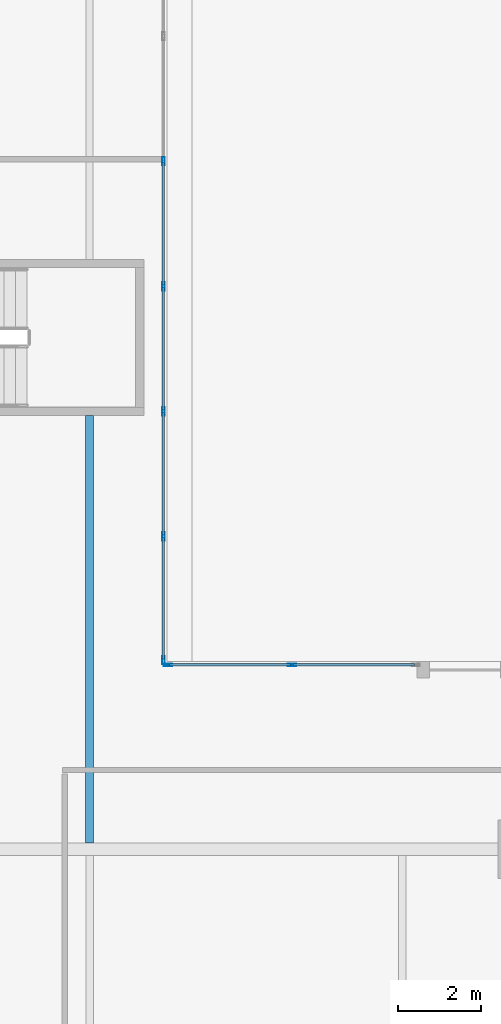
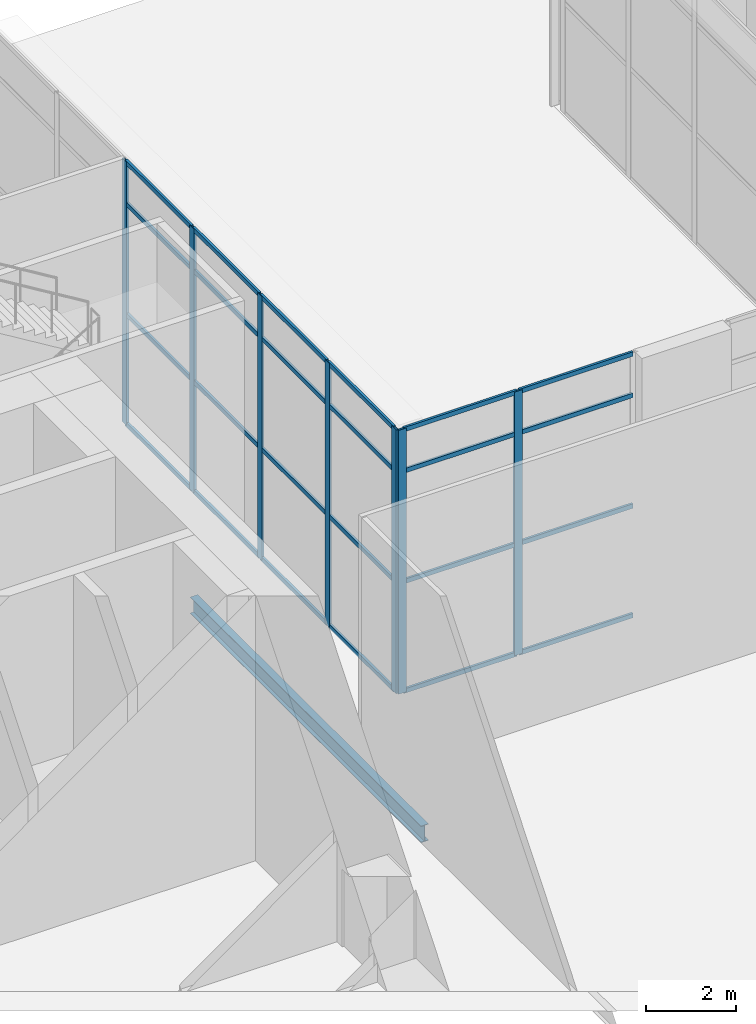
# One storey, part 16 of 52: 31 members, 1 beam, 2 elements without a shape of their own.
"""IFC4 building model written with IfcOpenShell, lengths in metres."""

from ifc_helpers import new_model, si_unit, direction, frame, origin, origin_2d, place, context, subcontext, project, spatial, hollow_rectangle, i_section, extrude, source, transform, mapped, material, material_profile, profile_set, type_object, element, aggregate, save


model = new_model("IFC4")

# Units and contexts
model_context = context("Model", 3, precision=1e-05, world=origin(), true_north=direction((0.0, 1.0)))
body_context = subcontext(model_context, "Body", "Model", "MODEL_VIEW")
ifc_project = project(units=[si_unit("LENGTHUNIT", "METRE"), si_unit("AREAUNIT", "SQUARE_METRE"), si_unit("VOLUMEUNIT", "CUBIC_METRE"), si_unit("PLANEANGLEUNIT", "RADIAN"), si_unit("MASSUNIT", "GRAM", prefix="KILO")], contexts=[model_context])

# Site, building, storey
site_placement = place(None, origin())
site = spatial("IfcSite", under=ifc_project, at=site_placement, CompositionType="ELEMENT")
building_placement = place(site_placement, origin())
building = spatial("IfcBuilding", under=site, at=building_placement, Name="Khomas Fold Tower", CompositionType="ELEMENT")
storey_placement = place(building_placement, origin())
storey = spatial("IfcBuildingStorey", under=building, at=storey_placement, Name="L00", CompositionType="ELEMENT", Elevation=0.0)

# Beam
ifc_material_1 = material(Name="Steel S355", Category="steel")
ifc_material_profile_1 = material_profile(ifc_material_1, i_section(OverallWidth=0.18994140625, OverallDepth=0.449951171875, WebThickness=0.009521484375, FlangeThickness=0.0146484375, at=origin_2d()), Name="IPE 450")
ifc_profile_set_1 = profile_set([ifc_material_profile_1], Name="Steel S355")
beam_type = type_object("IfcBeamType", Name="IPE 450 beam JB4", PredefinedType="BEAM", material=ifc_profile_set_1)
shared_shape_1 = source(origin(), body_context, "Body", "SweptSolid", [
    extrude(i_section(OverallWidth=0.18994140625, OverallDepth=0.449951171875, WebThickness=0.009521484375, FlangeThickness=0.0146484375, at=origin_2d()), origin(), (0.0, 0.0, 1.0), 10.25),
])
beam_placement = place(storey_placement, frame((27.0, 31.64990234375, -0.574951171875), z_axis=(0.0, 1.0, 0.0), x_axis=(-1.0, 0.0, 0.0)))
element("IfcBeam", 1, at=beam_placement, inside=storey, type_object=beam_type, Name="JB4", PredefinedType="BEAM", context=body_context, shape_type="MappedRepresentation", body=[
    mapped(shared_shape_1, transform((0.0, 0.0, 0.0))),
])

# Curtain wall, members
ifc_material_2 = material(Name="Aluminium framed double glazing", Category="aluminium")
curtain_wall_type = type_object("IfcCurtainWallType", Name="Shopfront glazing PD-CW", PredefinedType="NOTDEFINED", material=ifc_material_2)
curtain_wall_1_placement = place(storey_placement, origin())
curtain_wall_1 = element("IfcCurtainWall", 2, at=curtain_wall_1_placement, inside=storey, type_object=curtain_wall_type, Name="Podium shopfront run", PredefinedType="NOTDEFINED")
ifc_material_3 = material(Name="Aluminium", Category="aluminium")
ifc_material_profile_2 = material_profile(ifc_material_3, hollow_rectangle(XDim=0.06005859375, YDim=0.199951171875, WallThickness=0.00390625, at=origin_2d()), Name="Shopfront glazing mullion PD-CW-M")
ifc_profile_set_2 = profile_set([ifc_material_profile_2], Name="Aluminium")
member_type_1 = type_object("IfcMemberType", Name="Shopfront glazing mullion PD-CW-M", PredefinedType="MULLION", material=ifc_profile_set_2)
shared_shape_2 = source(origin(), body_context, "Body", "SweptSolid", [
    extrude(hollow_rectangle(XDim=0.06005859375, YDim=0.199951171875, WallThickness=0.00390625, at=origin_2d()), origin(), (0.0, 0.0, 1.0), 7.14990234375),
])
member_1_placement = place(storey_placement, frame((31.85009765625, 35.919921875, 0.0), z_axis=(0.0, 0.0, 1.0), x_axis=(0.0, -1.0, 0.0)))
member_1 = element("IfcMember", 3, at=member_1_placement, type_object=member_type_1, Name="PD-CW mullion 2", PredefinedType="MULLION", context=body_context, shape_type="MappedRepresentation", body=[
    mapped(shared_shape_2, transform((0.0, 0.0, 0.0))),
])
member_2_placement = place(storey_placement, frame((28.8798828125, 35.919921875, 0.0), z_axis=(0.0, 0.0, 1.0), x_axis=(0.0, -1.0, 0.0)))
member_2 = element("IfcMember", 4, at=member_2_placement, type_object=member_type_1, Name="PD-CW mullion 3", PredefinedType="MULLION", context=body_context, shape_type="MappedRepresentation", body=[
    mapped(shared_shape_2, transform((0.0, 0.0, 0.0))),
])

curtain_wall_2_placement = place(storey_placement, origin())
curtain_wall_2 = element("IfcCurtainWall", 5, at=curtain_wall_2_placement, inside=storey, type_object=curtain_wall_type, Name="Podium shopfront run", PredefinedType="NOTDEFINED")
member_3_placement = place(storey_placement, frame((28.77001953125, 36.030029296875, 0.0), z_axis=(0.0, 0.0, 1.0), x_axis=(-1.0, 0.0, 0.0)))
member_3 = element("IfcMember", 6, at=member_3_placement, type_object=member_type_1, Name="PD-CW mullion 1", PredefinedType="MULLION", context=body_context, shape_type="MappedRepresentation", body=[
    mapped(shared_shape_2, transform((0.0, 0.0, 0.0))),
])
member_4_placement = place(storey_placement, frame((28.77001953125, 39.0, 0.0), z_axis=(0.0, 0.0, 1.0), x_axis=(-1.0, 0.0, 0.0)))
member_4 = element("IfcMember", 7, at=member_4_placement, type_object=member_type_1, Name="PD-CW mullion 2", PredefinedType="MULLION", context=body_context, shape_type="MappedRepresentation", body=[
    mapped(shared_shape_2, transform((0.0, 0.0, 0.0))),
])
member_5_placement = place(storey_placement, frame((28.77001953125, 42.0, 0.0), z_axis=(0.0, 0.0, 1.0), x_axis=(-1.0, 0.0, 0.0)))
member_5 = element("IfcMember", 8, at=member_5_placement, type_object=member_type_1, Name="PD-CW mullion 3", PredefinedType="MULLION", context=body_context, shape_type="MappedRepresentation", body=[
    mapped(shared_shape_2, transform((0.0, 0.0, 0.0))),
])
member_6_placement = place(storey_placement, frame((28.77001953125, 45.0, 0.0), z_axis=(0.0, 0.0, 1.0), x_axis=(-1.0, 0.0, 0.0)))
member_6 = element("IfcMember", 9, at=member_6_placement, type_object=member_type_1, Name="PD-CW mullion 4", PredefinedType="MULLION", context=body_context, shape_type="MappedRepresentation", body=[
    mapped(shared_shape_2, transform((0.0, 0.0, 0.0))),
])
member_7_placement = place(storey_placement, frame((28.77001953125, 48.0, 0.0), z_axis=(0.0, 0.0, 1.0), x_axis=(-1.0, 0.0, 0.0)))
member_7 = element("IfcMember", 10, at=member_7_placement, type_object=member_type_1, Name="PD-CW mullion 5", PredefinedType="MULLION", context=body_context, shape_type="MappedRepresentation", body=[
    mapped(shared_shape_2, transform((0.0, 0.0, 0.0))),
])

# Member
ifc_material_4 = material(Name="Aluminium", Category="aluminium")
ifc_material_profile_3 = material_profile(ifc_material_4, hollow_rectangle(XDim=0.06005859375, YDim=0.1201171875, WallThickness=0.00390625, at=origin_2d()), Name="Shopfront glazing transom PD-CW-T")
ifc_profile_set_3 = profile_set([ifc_material_profile_3], Name="Aluminium")
member_type_2 = type_object("IfcMemberType", Name="Shopfront glazing transom PD-CW-T", PredefinedType="USERDEFINED", material=ifc_profile_set_3)
shared_shape_3 = source(origin(), body_context, "Body", "SweptSolid", [
    extrude(hollow_rectangle(XDim=0.06005859375, YDim=0.1201171875, WallThickness=0.00390625, at=origin_2d()), origin(), (0.0, 0.0, 1.0), 2.91015625),
])
member_8_placement = place(storey_placement, frame((34.7900390625, 35.919921875, 0.030029296875), z_axis=(-1.0, 0.0, 0.0), x_axis=(0.0, -1.0, 0.0)))
member_8 = element("IfcMember", 11, at=member_8_placement, type_object=member_type_2, Name="PD-CW transom 1.1", ObjectType="TRANSOM", PredefinedType="USERDEFINED", context=body_context, shape_type="MappedRepresentation", body=[
    mapped(shared_shape_3, transform((0.0, 0.0, 0.0))),
])

member_9_placement = place(storey_placement, frame((34.7900390625, 35.919921875, 3.0), z_axis=(-1.0, 0.0, 0.0), x_axis=(0.0, -1.0, 0.0)))
member_9 = element("IfcMember", 12, at=member_9_placement, type_object=member_type_2, Name="PD-CW transom 1.2", ObjectType="TRANSOM", PredefinedType="USERDEFINED", context=body_context, shape_type="MappedRepresentation", body=[
    mapped(shared_shape_3, transform((0.0, 0.0, 0.0))),
])

member_10_placement = place(storey_placement, frame((34.7900390625, 35.919921875, 6.0), z_axis=(-1.0, 0.0, 0.0), x_axis=(0.0, -1.0, 0.0)))
member_10 = element("IfcMember", 13, at=member_10_placement, type_object=member_type_2, Name="PD-CW transom 1.3", ObjectType="TRANSOM", PredefinedType="USERDEFINED", context=body_context, shape_type="MappedRepresentation", body=[
    mapped(shared_shape_3, transform((0.0, 0.0, 0.0))),
])

member_11_placement = place(storey_placement, frame((34.7900390625, 35.919921875, 7.1201171875), z_axis=(-1.0, 0.0, 0.0), x_axis=(0.0, -1.0, 0.0)))
member_11 = element("IfcMember", 14, at=member_11_placement, type_object=member_type_2, Name="PD-CW transom 1.4", ObjectType="TRANSOM", PredefinedType="USERDEFINED", context=body_context, shape_type="MappedRepresentation", body=[
    mapped(shared_shape_3, transform((0.0, 0.0, 0.0))),
])

member_12_placement = place(storey_placement, frame((31.820068359375, 35.919921875, 0.030029296875), z_axis=(-1.0, 0.0, 0.0), x_axis=(0.0, -1.0, 0.0)))
member_12 = element("IfcMember", 15, at=member_12_placement, type_object=member_type_2, Name="PD-CW transom 2.1", ObjectType="TRANSOM", PredefinedType="USERDEFINED", context=body_context, shape_type="MappedRepresentation", body=[
    mapped(shared_shape_3, transform((0.0, 0.0, 0.0))),
])

member_13_placement = place(storey_placement, frame((31.820068359375, 35.919921875, 3.0), z_axis=(-1.0, 0.0, 0.0), x_axis=(0.0, -1.0, 0.0)))
member_13 = element("IfcMember", 16, at=member_13_placement, type_object=member_type_2, Name="PD-CW transom 2.2", ObjectType="TRANSOM", PredefinedType="USERDEFINED", context=body_context, shape_type="MappedRepresentation", body=[
    mapped(shared_shape_3, transform((0.0, 0.0, 0.0))),
])

member_14_placement = place(storey_placement, frame((31.820068359375, 35.919921875, 6.0), z_axis=(-1.0, 0.0, 0.0), x_axis=(0.0, -1.0, 0.0)))
member_14 = element("IfcMember", 17, at=member_14_placement, type_object=member_type_2, Name="PD-CW transom 2.3", ObjectType="TRANSOM", PredefinedType="USERDEFINED", context=body_context, shape_type="MappedRepresentation", body=[
    mapped(shared_shape_3, transform((0.0, 0.0, 0.0))),
])

member_15_placement = place(storey_placement, frame((31.820068359375, 35.919921875, 7.1201171875), z_axis=(-1.0, 0.0, 0.0), x_axis=(0.0, -1.0, 0.0)))
member_15 = element("IfcMember", 18, at=member_15_placement, type_object=member_type_2, Name="PD-CW transom 2.4", ObjectType="TRANSOM", PredefinedType="USERDEFINED", context=body_context, shape_type="MappedRepresentation", body=[
    mapped(shared_shape_3, transform((0.0, 0.0, 0.0))),
])

aggregate(curtain_wall_1, [member_1, member_2, member_8, member_9, member_10, member_11, member_12, member_13, member_14, member_15])

shared_shape_4 = source(origin(), body_context, "Body", "SweptSolid", [
    extrude(hollow_rectangle(XDim=0.06005859375, YDim=0.1201171875, WallThickness=0.00390625, at=origin_2d()), origin(), (0.0, 0.0, 1.0), 2.909912109375),
])
member_16_placement = place(storey_placement, frame((28.77001953125, 36.06005859375, 0.030029296875), z_axis=(0.0, 1.0, 0.0), x_axis=(-1.0, 0.0, 0.0)))
member_16 = element("IfcMember", 19, at=member_16_placement, type_object=member_type_2, Name="PD-CW transom 1.1", ObjectType="TRANSOM", PredefinedType="USERDEFINED", context=body_context, shape_type="MappedRepresentation", body=[
    mapped(shared_shape_4, transform((0.0, 0.0, 0.0))),
])

member_17_placement = place(storey_placement, frame((28.77001953125, 36.06005859375, 3.0), z_axis=(0.0, 1.0, 0.0), x_axis=(-1.0, 0.0, 0.0)))
member_17 = element("IfcMember", 20, at=member_17_placement, type_object=member_type_2, Name="PD-CW transom 1.2", ObjectType="TRANSOM", PredefinedType="USERDEFINED", context=body_context, shape_type="MappedRepresentation", body=[
    mapped(shared_shape_4, transform((0.0, 0.0, 0.0))),
])

member_18_placement = place(storey_placement, frame((28.77001953125, 36.06005859375, 6.0), z_axis=(0.0, 1.0, 0.0), x_axis=(-1.0, 0.0, 0.0)))
member_18 = element("IfcMember", 21, at=member_18_placement, type_object=member_type_2, Name="PD-CW transom 1.3", ObjectType="TRANSOM", PredefinedType="USERDEFINED", context=body_context, shape_type="MappedRepresentation", body=[
    mapped(shared_shape_4, transform((0.0, 0.0, 0.0))),
])

member_19_placement = place(storey_placement, frame((28.77001953125, 36.06005859375, 7.1201171875), z_axis=(0.0, 1.0, 0.0), x_axis=(-1.0, 0.0, 0.0)))
member_19 = element("IfcMember", 22, at=member_19_placement, type_object=member_type_2, Name="PD-CW transom 1.4", ObjectType="TRANSOM", PredefinedType="USERDEFINED", context=body_context, shape_type="MappedRepresentation", body=[
    mapped(shared_shape_4, transform((0.0, 0.0, 0.0))),
])

shared_shape_5 = source(origin(), body_context, "Body", "SweptSolid", [
    extrude(hollow_rectangle(XDim=0.06005859375, YDim=0.1201171875, WallThickness=0.00390625, at=origin_2d()), origin(), (0.0, 0.0, 1.0), 2.93994140625),
])
member_20_placement = place(storey_placement, frame((28.77001953125, 39.030029296875, 0.030029296875), z_axis=(0.0, 1.0, 0.0), x_axis=(-1.0, 0.0, 0.0)))
member_20 = element("IfcMember", 23, at=member_20_placement, type_object=member_type_2, Name="PD-CW transom 2.1", ObjectType="TRANSOM", PredefinedType="USERDEFINED", context=body_context, shape_type="MappedRepresentation", body=[
    mapped(shared_shape_5, transform((0.0, 0.0, 0.0))),
])

member_21_placement = place(storey_placement, frame((28.77001953125, 39.030029296875, 3.0), z_axis=(0.0, 1.0, 0.0), x_axis=(-1.0, 0.0, 0.0)))
member_21 = element("IfcMember", 24, at=member_21_placement, type_object=member_type_2, Name="PD-CW transom 2.2", ObjectType="TRANSOM", PredefinedType="USERDEFINED", context=body_context, shape_type="MappedRepresentation", body=[
    mapped(shared_shape_5, transform((0.0, 0.0, 0.0))),
])

member_22_placement = place(storey_placement, frame((28.77001953125, 39.030029296875, 6.0), z_axis=(0.0, 1.0, 0.0), x_axis=(-1.0, 0.0, 0.0)))
member_22 = element("IfcMember", 25, at=member_22_placement, type_object=member_type_2, Name="PD-CW transom 2.3", ObjectType="TRANSOM", PredefinedType="USERDEFINED", context=body_context, shape_type="MappedRepresentation", body=[
    mapped(shared_shape_5, transform((0.0, 0.0, 0.0))),
])

member_23_placement = place(storey_placement, frame((28.77001953125, 39.030029296875, 7.1201171875), z_axis=(0.0, 1.0, 0.0), x_axis=(-1.0, 0.0, 0.0)))
member_23 = element("IfcMember", 26, at=member_23_placement, type_object=member_type_2, Name="PD-CW transom 2.4", ObjectType="TRANSOM", PredefinedType="USERDEFINED", context=body_context, shape_type="MappedRepresentation", body=[
    mapped(shared_shape_5, transform((0.0, 0.0, 0.0))),
])

member_24_placement = place(storey_placement, frame((28.77001953125, 42.030029296875, 0.030029296875), z_axis=(0.0, 1.0, 0.0), x_axis=(-1.0, 0.0, 0.0)))
member_24 = element("IfcMember", 27, at=member_24_placement, type_object=member_type_2, Name="PD-CW transom 3.1", ObjectType="TRANSOM", PredefinedType="USERDEFINED", context=body_context, shape_type="MappedRepresentation", body=[
    mapped(shared_shape_5, transform((0.0, 0.0, 0.0))),
])

member_25_placement = place(storey_placement, frame((28.77001953125, 42.030029296875, 3.0), z_axis=(0.0, 1.0, 0.0), x_axis=(-1.0, 0.0, 0.0)))
member_25 = element("IfcMember", 28, at=member_25_placement, type_object=member_type_2, Name="PD-CW transom 3.2", ObjectType="TRANSOM", PredefinedType="USERDEFINED", context=body_context, shape_type="MappedRepresentation", body=[
    mapped(shared_shape_5, transform((0.0, 0.0, 0.0))),
])

member_26_placement = place(storey_placement, frame((28.77001953125, 42.030029296875, 6.0), z_axis=(0.0, 1.0, 0.0), x_axis=(-1.0, 0.0, 0.0)))
member_26 = element("IfcMember", 29, at=member_26_placement, type_object=member_type_2, Name="PD-CW transom 3.3", ObjectType="TRANSOM", PredefinedType="USERDEFINED", context=body_context, shape_type="MappedRepresentation", body=[
    mapped(shared_shape_5, transform((0.0, 0.0, 0.0))),
])

member_27_placement = place(storey_placement, frame((28.77001953125, 42.030029296875, 7.1201171875), z_axis=(0.0, 1.0, 0.0), x_axis=(-1.0, 0.0, 0.0)))
member_27 = element("IfcMember", 30, at=member_27_placement, type_object=member_type_2, Name="PD-CW transom 3.4", ObjectType="TRANSOM", PredefinedType="USERDEFINED", context=body_context, shape_type="MappedRepresentation", body=[
    mapped(shared_shape_5, transform((0.0, 0.0, 0.0))),
])

member_28_placement = place(storey_placement, frame((28.77001953125, 45.030029296875, 0.030029296875), z_axis=(0.0, 1.0, 0.0), x_axis=(-1.0, 0.0, 0.0)))
member_28 = element("IfcMember", 31, at=member_28_placement, type_object=member_type_2, Name="PD-CW transom 4.1", ObjectType="TRANSOM", PredefinedType="USERDEFINED", context=body_context, shape_type="MappedRepresentation", body=[
    mapped(shared_shape_5, transform((0.0, 0.0, 0.0))),
])

member_29_placement = place(storey_placement, frame((28.77001953125, 45.030029296875, 3.0), z_axis=(0.0, 1.0, 0.0), x_axis=(-1.0, 0.0, 0.0)))
member_29 = element("IfcMember", 32, at=member_29_placement, type_object=member_type_2, Name="PD-CW transom 4.2", ObjectType="TRANSOM", PredefinedType="USERDEFINED", context=body_context, shape_type="MappedRepresentation", body=[
    mapped(shared_shape_5, transform((0.0, 0.0, 0.0))),
])

member_30_placement = place(storey_placement, frame((28.77001953125, 45.030029296875, 6.0), z_axis=(0.0, 1.0, 0.0), x_axis=(-1.0, 0.0, 0.0)))
member_30 = element("IfcMember", 33, at=member_30_placement, type_object=member_type_2, Name="PD-CW transom 4.3", ObjectType="TRANSOM", PredefinedType="USERDEFINED", context=body_context, shape_type="MappedRepresentation", body=[
    mapped(shared_shape_5, transform((0.0, 0.0, 0.0))),
])

member_31_placement = place(storey_placement, frame((28.77001953125, 45.030029296875, 7.1201171875), z_axis=(0.0, 1.0, 0.0), x_axis=(-1.0, 0.0, 0.0)))
member_31 = element("IfcMember", 34, at=member_31_placement, type_object=member_type_2, Name="PD-CW transom 4.4", ObjectType="TRANSOM", PredefinedType="USERDEFINED", context=body_context, shape_type="MappedRepresentation", body=[
    mapped(shared_shape_5, transform((0.0, 0.0, 0.0))),
])

aggregate(curtain_wall_2, [member_3, member_4, member_5, member_6, member_7, member_16, member_17, member_18, member_19, member_20, member_21, member_22, member_23, member_24, member_25, member_26, member_27, member_28, member_29, member_30, member_31])

save(model, "model.ifc")
